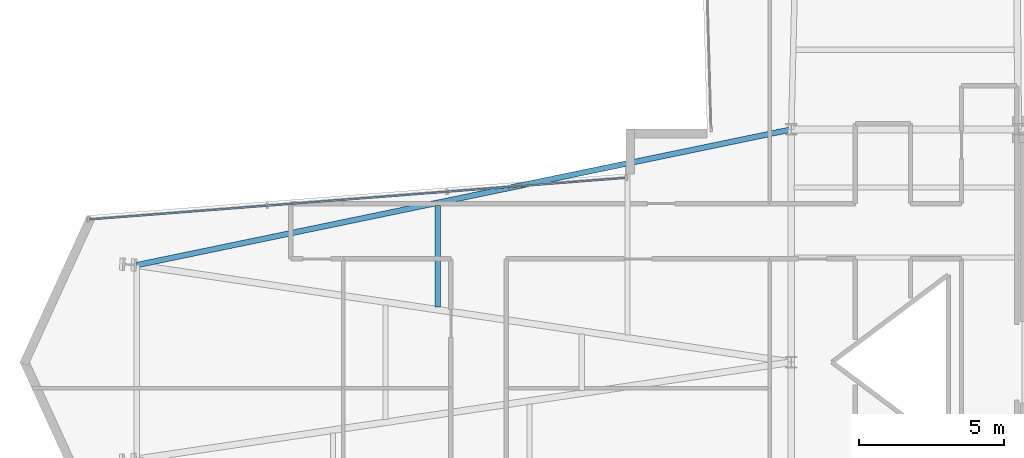
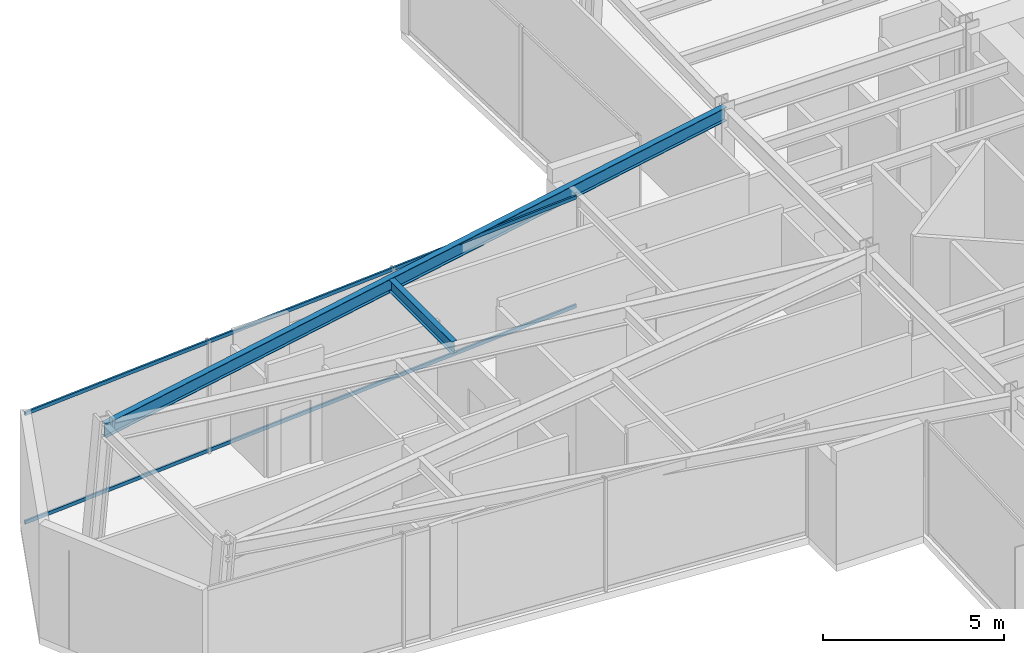
# One storey, part 9 of 29: 2 beams, 2 members, 1 element without a shape of its own.
"""IFC4 building model written with IfcOpenShell, lengths in metres."""

from ifc_helpers import new_model, si_unit, direction, frame, origin, origin_2d, place, context, subcontext, project, spatial, hollow_rectangle, i_section, extrude, material, layer, layer_set, material_profile, profile_set, type_object, element, aggregate, save


model = new_model("IFC4")

# Units and contexts
model_context = context("Model", 3, precision=1e-05, world=origin(), true_north=direction((0.0, 1.0)))
body_context = subcontext(model_context, "Body", "Model", "MODEL_VIEW")
ifc_project = project(units=[si_unit("LENGTHUNIT", "METRE"), si_unit("AREAUNIT", "SQUARE_METRE"), si_unit("VOLUMEUNIT", "CUBIC_METRE"), si_unit("PLANEANGLEUNIT", "RADIAN"), si_unit("MASSUNIT", "GRAM", prefix="KILO")], contexts=[model_context])

# Site, building, storey
site_placement = place(None, origin())
site = spatial("IfcSite", under=ifc_project, at=site_placement, CompositionType="ELEMENT")
building_placement = place(site_placement, origin())
building = spatial("IfcBuilding", under=site, at=building_placement, Name="Veymaron Broadcast Tower", CompositionType="ELEMENT")
storey_placement = place(building_placement, frame((0.0, 0.0, 58.050048828125)))
storey = spatial("IfcBuildingStorey", under=building, at=storey_placement, Name="L12", CompositionType="ELEMENT", Elevation=58.050048828125)

# Beams
ifc_material_1 = material(Name="Structural steel ASTM A992 Gr 50", Category="steel")
ifc_material_profile_1 = material_profile(ifc_material_1, i_section(OverallWidth=0.177978515625, OverallDepth=0.406982421875, WebThickness=0.0078125, FlangeThickness=0.0126953125, at=origin_2d()), Name="W410X60")
ifc_profile_set_1 = profile_set([ifc_material_profile_1], Name="Structural steel ASTM A992 Gr 50")
beam_type_1 = type_object("IfcBeamType", Name="BM-JS1", PredefinedType="JOIST", material=ifc_profile_set_1)
beam_1_placement = place(storey_placement, frame((19.04833984375, 25.90087890625, 3.6064453125), z_axis=(0.0, 1.0, 0.0), x_axis=(-1.0, 0.0, 0.0)))
element("IfcBeam", 1, at=beam_1_placement, inside=storey, type_object=beam_type_1, Name="L12 Arm-A secondary joist 1N", PredefinedType="JOIST", context=body_context, shape_type="SweptSolid", body=[
    extrude(i_section(OverallWidth=0.177978515625, OverallDepth=0.406982421875, WebThickness=0.0078125, FlangeThickness=0.0126953125, at=origin_2d()), origin(), (0.0, 0.0, 1.0), 3.47998046875),
])
ifc_material_profile_2 = material_profile(ifc_material_1, i_section(OverallWidth=0.19091796875, OverallDepth=0.4599609375, WebThickness=0.010009765625, FlangeThickness=0.01611328125, at=origin_2d()), Name="W460X82")
ifc_profile_set_2 = profile_set([ifc_material_profile_2], Name="Structural steel ASTM A992 Gr 50")
beam_type_2 = type_object("IfcBeamType", Name="BM-SP1", PredefinedType="SPANDREL", material=ifc_profile_set_2)
beam_2_placement = place(storey_placement, frame((8.697021484375, 27.3349609375, 3.579833984375), z_axis=(0.979180395187, 0.202992003984, 0.0), x_axis=(-0.202992003984, 0.979180395187, 0.0)))
element("IfcBeam", 2, at=beam_2_placement, inside=storey, type_object=beam_type_2, Name="L12 primary structural floor girder", PredefinedType="SPANDREL", context=body_context, shape_type="SweptSolid", body=[
    extrude(i_section(OverallWidth=0.19091796875, OverallDepth=0.4599609375, WebThickness=0.010009765625, FlangeThickness=0.01611328125, at=origin_2d()), origin(), (0.0, 0.0, 1.0), 22.9814453125),
])

# Curtain wall, members
ifc_material_2 = material(Name="Anodised aluminium AA 6063-T6 and laminated low-E dark glass", Category="aluminium")
ifc_layer = layer(ifc_material_2, 0.179931640625)
ifc_layer_set = layer_set([ifc_layer], Name="Anodised aluminium AA 6063-T6 and laminated low-E dark glass")
curtain_wall_type = type_object("IfcCurtainWallType", Name="CW-SYS-02", PredefinedType="NOTDEFINED", material=ifc_layer_set)
curtain_wall_placement = place(storey_placement, origin())
curtain_wall = element("IfcCurtainWall", 3, at=curtain_wall_placement, inside=storey, type_object=curtain_wall_type, Name="L12 dark-glass curtain wall CW-L12-E11-1", PredefinedType="NOTDEFINED")
ifc_material_3 = material(Name="Anodised aluminium AA 6063-T6", Category="aluminium")
ifc_material_profile_3 = material_profile(ifc_material_3, hollow_rectangle(XDim=0.06005859375, YDim=0.1201171875, WallThickness=0.00390625, at=origin_2d()), Name="AL120X60X4")
ifc_profile_set_3 = profile_set([ifc_material_profile_3], Name="Anodised aluminium AA 6063-T6")
member_type = type_object("IfcMemberType", Name="CW-TRN-02", PredefinedType="USERDEFINED", material=ifc_profile_set_3)
member_1_placement = place(storey_placement, frame((25.489013671875, 30.33251953125, 0.070068359375), z_axis=(-0.997009170572, -0.07728333453, 0.0), x_axis=(0.07728333453, -0.997009170572, 0.0)))
member_1 = element("IfcMember", 4, at=member_1_placement, type_object=member_type, Name="CW-L12-E11-1 transom B", ObjectType="TRANSOM", PredefinedType="USERDEFINED", context=body_context, shape_type="SweptSolid", body=[
    extrude(hollow_rectangle(XDim=0.06005859375, YDim=0.1201171875, WallThickness=0.00390625, at=origin_2d()), origin(), (0.0, 0.0, 1.0), 18.4833984375),
])
member_2_placement = place(storey_placement, frame((25.489013671875, 30.33251953125, 3.739990234375), z_axis=(-0.997009170572, -0.07728333453, 0.0), x_axis=(0.07728333453, -0.997009170572, 0.0)))
member_2 = element("IfcMember", 5, at=member_2_placement, type_object=member_type, Name="CW-L12-E11-1 transom T", ObjectType="TRANSOM", PredefinedType="USERDEFINED", context=body_context, shape_type="SweptSolid", body=[
    extrude(hollow_rectangle(XDim=0.06005859375, YDim=0.1201171875, WallThickness=0.00390625, at=origin_2d()), origin(), (0.0, 0.0, 1.0), 18.4833984375),
])
aggregate(curtain_wall, [member_1, member_2])

save(model, "model.ifc")
